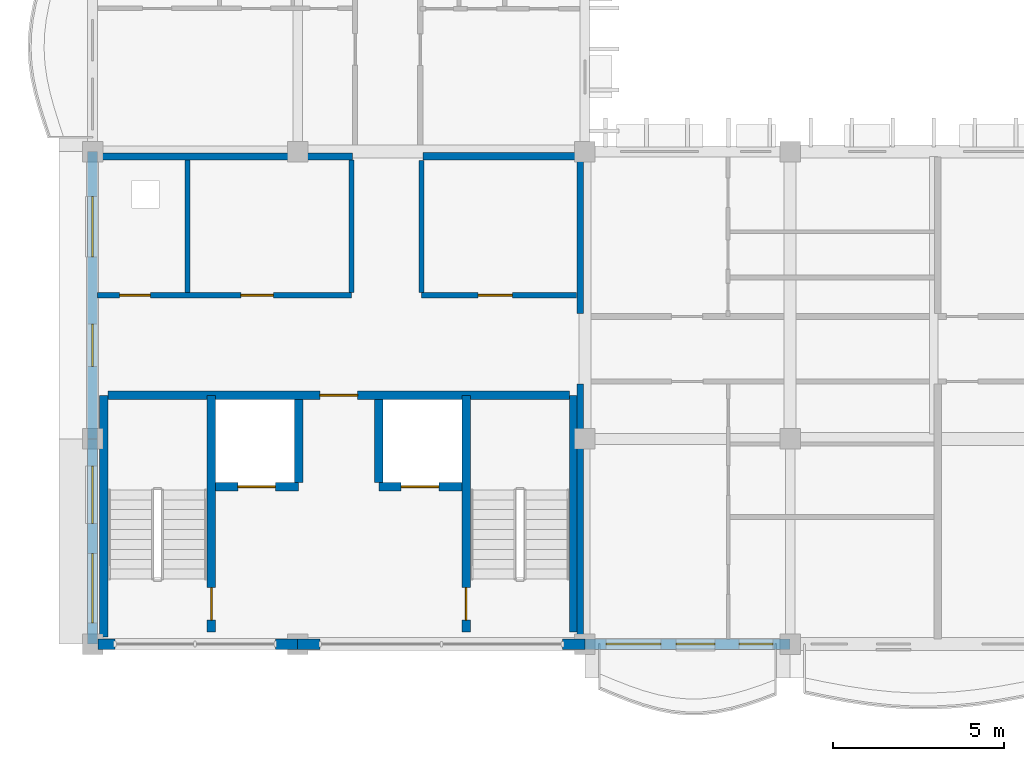
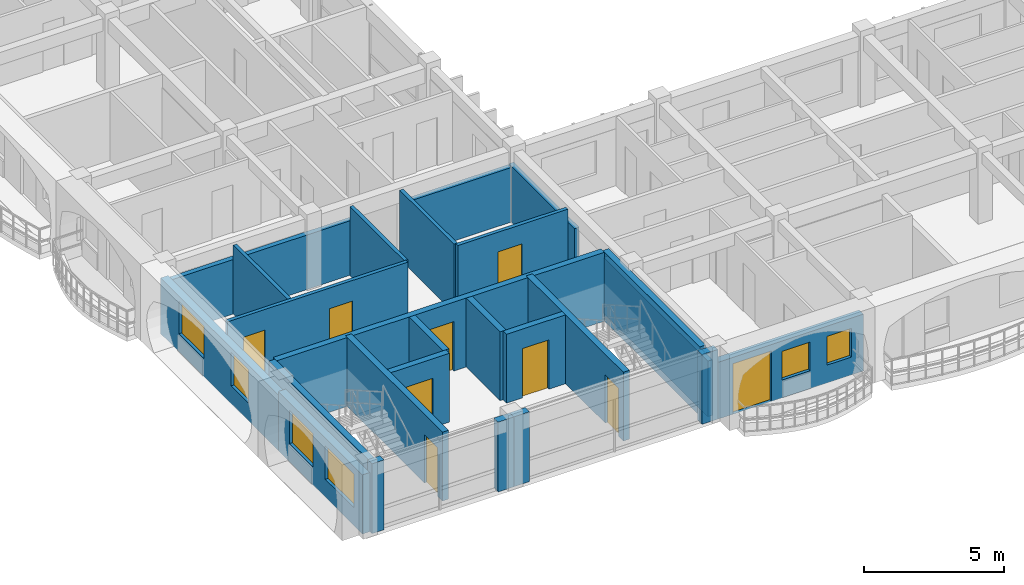
# One storey, part 23 of 76: 25 walls, 9 doors, 6 windows, 15 openings.
"""IFC4 building model written with IfcOpenShell, lengths in metres."""

from ifc_helpers import new_model, si_unit, direction, frame, frame_2d, origin, place, context, subcontext, project, spatial, rectangle, extrude, material, layer, layer_set, type_object, element, fill, save


model = new_model("IFC4")

# Units and contexts
model_context = context("Model", 3, precision=1e-05, world=origin(), true_north=direction((0.0, 1.0)))
body_context = subcontext(model_context, "Body", "Model", "MODEL_VIEW")
ifc_project = project(units=[si_unit("LENGTHUNIT", "METRE"), si_unit("AREAUNIT", "SQUARE_METRE"), si_unit("VOLUMEUNIT", "CUBIC_METRE"), si_unit("PLANEANGLEUNIT", "RADIAN"), si_unit("MASSUNIT", "GRAM", prefix="KILO"), si_unit("THERMODYNAMICTEMPERATUREUNIT", "KELVIN")], contexts=[model_context])

# Site, building, storey
site_placement = place(None, origin())
site = spatial("IfcSite", under=ifc_project, at=site_placement, CompositionType="ELEMENT")
building_placement = place(site_placement, origin())
building = spatial("IfcBuilding", under=site, at=building_placement, Name="Thalorik Housing Commons", CompositionType="ELEMENT")
storey_placement = place(building_placement, frame((0.0, 0.0, 18.0)))
storey = spatial("IfcBuildingStorey", under=building, at=storey_placement, Name="L05", CompositionType="ELEMENT", Elevation=18.0)

# Wall, opening, door
ifc_material_1 = material(Name="Concrete C40/50", Category="concrete")
ifc_layer_1 = layer(ifc_material_1, 0.25, Name="Concrete C40/50", Category="concrete")
ifc_layer_set_1 = layer_set([ifc_layer_1], Name="Concrete C40/50")
wall_type_1 = type_object("IfcWallType", Name="ARC-WAL-CORE-250", PredefinedType="SHEAR", material=ifc_layer_set_1)
wall_1_placement = place(storey_placement, frame((11.875, 8.75, 0.0), z_axis=(0.0, 0.0, 1.0), x_axis=(0.0, 1.0, 0.0)))
wall_1 = element("IfcWall", 1, at=wall_1_placement, inside=storey, type_object=wall_type_1, Name="L05 Core C Stair 1 Shear Wall", PredefinedType="SHEAR", context=body_context, shape_type="SweptSolid", body=[
    extrude(rectangle(XDim=6.925048828125, YDim=0.25, at=frame_2d((3.46240234375, 0.0))), origin(), (0.0, 0.0, 1.0), 3.0),
])
opening_1_placement = place(wall_1_placement, frame((0.35009765625, 0.0, 0.0)))
opening_1 = element("IfcOpeningElement", 2, at=opening_1_placement, cuts=wall_1, Name="Opening ID-0297", PredefinedType="OPENING", context=body_context, shape_type="SweptSolid", body=[
    extrude(rectangle(XDim=0.949951171875, YDim=2.10009765625, at=frame_2d((0.47509765625, 1.050048828125))), frame((0.0, 0.135009765625, 0.0), z_axis=(0.0, -1.0, 0.0), x_axis=(1.0, 0.0, 0.0)), (0.0, 0.0, 1.0), 0.27001953125),
])
ifc_material_2 = material(Name="Steel S355", Category="steel")
door_type_1 = type_object("IfcDoorType", Name="ARC-DR-FD60-950", OperationType="NOTDEFINED", PredefinedType="DOOR", material=ifc_material_2)
door_1_placement = place(opening_1_placement, origin())
door_1 = element("IfcDoor", 3, at=door_1_placement, inside=storey, type_object=door_type_1, Name="L05 Stair ST-C1 Fire Door", OperationType="SINGLE_SWING_RIGHT", OverallHeight=2.10009765625, OverallWidth=0.949951171875, PredefinedType="DOOR", context=body_context, shape_type="SweptSolid", body=[
    extrude(rectangle(XDim=0.949951171875, YDim=2.10009765625, at=frame_2d((0.47509765625, 1.050048828125))), frame((0.0, 0.02490234375, 0.0), z_axis=(0.0, -1.0, 0.0), x_axis=(1.0, 0.0, 0.0)), (0.0, 0.0, 1.0), 0.050048828125),
])
fill(opening_1, door_1)

# Walls
wall_2_placement = place(storey_placement, frame((8.72509765625, 8.60009765625, 0.0), z_axis=(0.0, 0.0, 1.0), x_axis=(0.0, 1.0, 0.0)))
element("IfcWall", 4, at=wall_2_placement, inside=storey, type_object=wall_type_1, Name="L05 Core C Stair 1 Outer Shear Wall", PredefinedType="SHEAR", context=body_context, shape_type="SweptSolid", body=[
    extrude(rectangle(XDim=7.074951171875, YDim=0.25, at=frame_2d((3.53759765625, 0.0))), origin(), (0.0, 0.0, 1.0), 3.0),
])
wall_3_placement = place(storey_placement, frame((22.47509765625, 8.75, 0.0), z_axis=(0.0, 0.0, 1.0), x_axis=(0.0, 1.0, 0.0)))
element("IfcWall", 5, at=wall_3_placement, inside=storey, type_object=wall_type_1, Name="L05 Core C Stair 2 Outer Shear Wall", PredefinedType="SHEAR", context=body_context, shape_type="SweptSolid", body=[
    extrude(rectangle(XDim=6.925048828125, YDim=0.25, at=frame_2d((3.46240234375, 0.0))), origin(), (0.0, 0.0, 1.0), 3.0),
])

# Wall, opening, door
wall_4_placement = place(storey_placement, frame((19.324951171875, 8.75, 0.0), z_axis=(0.0, 0.0, 1.0), x_axis=(0.0, 1.0, 0.0)))
wall_4 = element("IfcWall", 6, at=wall_4_placement, inside=storey, type_object=wall_type_1, Name="L05 Core C Stair 2 Shear Wall", PredefinedType="SHEAR", context=body_context, shape_type="SweptSolid", body=[
    extrude(rectangle(XDim=6.925048828125, YDim=0.25, at=frame_2d((3.46240234375, 0.0))), origin(), (0.0, 0.0, 1.0), 3.0),
])
opening_2_placement = place(wall_4_placement, frame((0.35009765625, 0.0, 0.0)))
opening_2 = element("IfcOpeningElement", 7, at=opening_2_placement, cuts=wall_4, Name="Opening ID-0298", PredefinedType="OPENING", context=body_context, shape_type="SweptSolid", body=[
    extrude(rectangle(XDim=0.949951171875, YDim=2.10009765625, at=frame_2d((0.47509765625, 1.050048828125))), frame((0.0, 0.135009765625, 0.0), z_axis=(0.0, -1.0, 0.0), x_axis=(1.0, 0.0, 0.0)), (0.0, 0.0, 1.0), 0.27001953125),
])
door_2_placement = place(opening_2_placement, origin())
door_2 = element("IfcDoor", 8, at=door_2_placement, inside=storey, type_object=door_type_1, Name="L05 Stair ST-C2 Fire Door", OperationType="SINGLE_SWING_LEFT", OverallHeight=2.10009765625, OverallWidth=0.949951171875, PredefinedType="DOOR", context=body_context, shape_type="SweptSolid", body=[
    extrude(rectangle(XDim=0.949951171875, YDim=2.10009765625, at=frame_2d((0.47509765625, 1.050048828125))), frame((0.0, 0.02490234375, 0.0), z_axis=(0.0, -1.0, 0.0), x_axis=(1.0, 0.0, 0.0)), (0.0, 0.0, 1.0), 0.050048828125),
])
fill(opening_2, door_2)

wall_5_placement = place(storey_placement, frame((12.0, 13.0, 0.0), z_axis=(0.0, 0.0, 1.0), x_axis=(1.0, 0.0, 0.0)))
wall_5 = element("IfcWall", 9, at=wall_5_placement, inside=storey, type_object=wall_type_1, Name="L05 Lift LF-C1 Front Shaft Wall", PredefinedType="SHEAR", context=body_context, shape_type="SweptSolid", body=[
    extrude(rectangle(XDim=2.425048828125, YDim=0.25, at=frame_2d((1.21240234375, 0.0))), origin(), (0.0, 0.0, 1.0), 3.0),
])
opening_3_placement = place(wall_5_placement, frame((0.64990234375, 0.0, 0.0)))
opening_3 = element("IfcOpeningElement", 10, at=opening_3_placement, cuts=wall_5, Name="Opening LD-LF-C1-L05", PredefinedType="OPENING", context=body_context, shape_type="SweptSolid", body=[
    extrude(rectangle(XDim=1.10009765625, YDim=2.14990234375, at=frame_2d((0.550048828125, 1.074951171875))), frame((0.0, 0.135009765625, 0.0), z_axis=(0.0, -1.0, 0.0), x_axis=(1.0, 0.0, 0.0)), (0.0, 0.0, 1.0), 0.27001953125),
])
door_type_2 = type_object("IfcDoorType", Name="ARC-DR-LIFT-1100", OperationType="NOTDEFINED", PredefinedType="DOOR", material=ifc_material_2)
door_3_placement = place(opening_3_placement, origin())
door_3 = element("IfcDoor", 11, at=door_3_placement, inside=storey, type_object=door_type_2, Name="L05 Lift LF-C1 Landing Door", OperationType="SLIDING_TO_LEFT", OverallHeight=2.14990234375, OverallWidth=1.10009765625, PredefinedType="DOOR", context=body_context, shape_type="SweptSolid", body=[
    extrude(rectangle(XDim=1.10009765625, YDim=2.14990234375, at=frame_2d((0.550048828125, 1.074951171875))), frame((0.0, 0.02490234375, 0.0), z_axis=(0.0, -1.0, 0.0), x_axis=(1.0, 0.0, 0.0)), (0.0, 0.0, 1.0), 0.050048828125),
])
fill(opening_3, door_3)

wall_6_placement = place(storey_placement, frame((16.77490234375, 13.0, 0.0), z_axis=(0.0, 0.0, 1.0), x_axis=(1.0, 0.0, 0.0)))
wall_6 = element("IfcWall", 12, at=wall_6_placement, inside=storey, type_object=wall_type_1, Name="L05 Lift LP-C2 Front Shaft Wall", PredefinedType="SHEAR", context=body_context, shape_type="SweptSolid", body=[
    extrude(rectangle(XDim=2.425048828125, YDim=0.25, at=frame_2d((1.21240234375, 0.0))), origin(), (0.0, 0.0, 1.0), 3.0),
])
opening_4_placement = place(wall_6_placement, frame((0.64990234375, 0.0, 0.0)))
opening_4 = element("IfcOpeningElement", 13, at=opening_4_placement, cuts=wall_6, Name="Opening LD-LP-C2-L05", PredefinedType="OPENING", context=body_context, shape_type="SweptSolid", body=[
    extrude(rectangle(XDim=1.10009765625, YDim=2.14990234375, at=frame_2d((0.550048828125, 1.074951171875))), frame((0.0, 0.135009765625, 0.0), z_axis=(0.0, -1.0, 0.0), x_axis=(1.0, 0.0, 0.0)), (0.0, 0.0, 1.0), 0.27001953125),
])
door_4_placement = place(opening_4_placement, origin())
door_4 = element("IfcDoor", 14, at=door_4_placement, inside=storey, type_object=door_type_2, Name="L05 Lift LP-C2 Landing Door", OperationType="SLIDING_TO_LEFT", OverallHeight=2.14990234375, OverallWidth=1.10009765625, PredefinedType="DOOR", context=body_context, shape_type="SweptSolid", body=[
    extrude(rectangle(XDim=1.10009765625, YDim=2.14990234375, at=frame_2d((0.550048828125, 1.074951171875))), frame((0.0, 0.02490234375, 0.0), z_axis=(0.0, -1.0, 0.0), x_axis=(1.0, 0.0, 0.0)), (0.0, 0.0, 1.0), 0.050048828125),
])
fill(opening_4, door_4)

# Walls
for number, where, z_axis, x_axis, name in (
    (15, (14.425048828125, 13.125, 0.0), (0.0, 0.0, 1.0), (0.0, 1.0, 0.0), "L05 Lift 1 Cheek Wall"),
    (16, (16.77490234375, 13.125, 0.0), (0.0, 0.0, 1.0), (0.0, 1.0, 0.0), "L05 Lift 2 Cheek Wall"),
):
    element("IfcWall", number, at=place(storey_placement, frame(where, z_axis=z_axis, x_axis=x_axis)), inside=storey, type_object=wall_type_1, Name=name, PredefinedType="SHEAR", context=body_context, shape_type="SweptSolid", body=[
        extrude(rectangle(XDim=2.425048828125, YDim=0.25, at=frame_2d((1.21240234375, 0.0))), origin(), (0.0, 0.0, 1.0), 3.0),
    ])

# Wall, opening, door
wall_7_placement = place(storey_placement, frame((8.85009765625, 15.675048828125, 0.0), z_axis=(0.0, 0.0, 1.0), x_axis=(1.0, 0.0, 0.0)))
wall_7 = element("IfcWall", 17, at=wall_7_placement, inside=storey, type_object=wall_type_1, Name="L05 Core C Spine Shear Wall", PredefinedType="SHEAR", context=body_context, shape_type="SweptSolid", body=[
    extrude(rectangle(XDim=13.5, YDim=0.25, at=frame_2d((6.75, 0.0))), origin(), (0.0, 0.0, 1.0), 3.0),
])
opening_5_placement = place(wall_7_placement, frame((6.199951171875, 0.0, 0.0)))
opening_5 = element("IfcOpeningElement", 18, at=opening_5_placement, cuts=wall_7, Name="Opening ID-0301", PredefinedType="OPENING", context=body_context, shape_type="SweptSolid", body=[
    extrude(rectangle(XDim=1.10009765625, YDim=2.14990234375, at=frame_2d((0.550048828125, 1.074951171875))), frame((0.0, 0.135009765625, 0.0), z_axis=(0.0, -1.0, 0.0), x_axis=(1.0, 0.0, 0.0)), (0.0, 0.0, 1.0), 0.27001953125),
])
door_type_3 = type_object("IfcDoorType", Name="ARC-DR-FD60-1100", OperationType="NOTDEFINED", PredefinedType="DOOR", material=ifc_material_2)
door_5_placement = place(opening_5_placement, origin())
door_5 = element("IfcDoor", 19, at=door_5_placement, inside=storey, type_object=door_type_3, Name="L05 Core C Lobby Fire Door", OperationType="SINGLE_SWING_RIGHT", OverallHeight=2.14990234375, OverallWidth=1.10009765625, PredefinedType="DOOR", context=body_context, shape_type="SweptSolid", body=[
    extrude(rectangle(XDim=1.10009765625, YDim=2.14990234375, at=frame_2d((0.550048828125, 1.074951171875))), frame((0.0, 0.02490234375, 0.0), z_axis=(0.0, -1.0, 0.0), x_axis=(1.0, 0.0, 0.0)), (0.0, 0.0, 1.0), 0.050048828125),
])
fill(opening_5, door_5)

# Wall, openings, windows
ifc_material_3 = material(Name="White precast concrete C40/50", Category="concrete")
ifc_layer_2 = layer(ifc_material_3, 0.304931640625, Name="White precast concrete C40/50", Category="concrete")
ifc_layer_set_2 = layer_set([ifc_layer_2], Name="White precast concrete C40/50")
wall_type_2 = type_object("IfcWallType", Name="ARC-WAL-EXT-305", PredefinedType="STANDARD", material=ifc_layer_set_2)
wall_8_placement = place(storey_placement, frame((8.39990234375, 22.800048828125, 0.0), z_axis=(0.0, 0.0, 1.0), x_axis=(0.0, -1.0, 0.0)))
wall_8 = element("IfcWall", 20, at=wall_8_placement, inside=storey, type_object=wall_type_2, Name="L05 Exterior Wall WAL-EXT-L05-C-0973", PredefinedType="STANDARD", context=body_context, shape_type="SweptSolid", body=[
    extrude(rectangle(XDim=8.400146484375, YDim=0.304931640625, at=frame_2d((4.2001953125, 0.0))), origin(), (0.0, 0.0, 1.0), 2.425048828125),
])
opening_6_placement = place(wall_8_placement, frame((1.304931640625, 0.0, 0.780029296875)))
opening_6 = element("IfcOpeningElement", 21, at=opening_6_placement, cuts=wall_8, Name="Opening W-57", PredefinedType="OPENING", context=body_context, shape_type="SweptSolid", body=[
    extrude(rectangle(XDim=1.780029296875, YDim=1.419921875, at=frame_2d((0.89013671875, 0.7099609375))), frame((0.0, 0.16259765625, 0.0), z_axis=(0.0, -1.0, 0.0), x_axis=(1.0, 0.0, 0.0)), (0.0, 0.0, 1.0), 0.324951171875),
])
opening_7_placement = place(wall_8_placement, frame((5.03759765625, 0.0, 0.780029296875)))
opening_7 = element("IfcOpeningElement", 22, at=opening_7_placement, cuts=wall_8, Name="Opening W-47", PredefinedType="OPENING", context=body_context, shape_type="SweptSolid", body=[
    extrude(rectangle(XDim=1.25, YDim=1.449951171875, at=frame_2d((0.625, 0.72509765625))), frame((0.0, 0.16259765625, 0.0), z_axis=(0.0, -1.0, 0.0), x_axis=(1.0, 0.0, 0.0)), (0.0, 0.0, 1.0), 0.324951171875),
])
ifc_material_4 = material(Name="Anodised aluminium and solar-control low-E glass", Category="aluminium")
window_type_1 = type_object("IfcWindowType", Name="ARC-WIN-47", PartitioningType="SINGLE_PANEL", PredefinedType="WINDOW", material=ifc_material_4)
window_1_placement = place(opening_7_placement, origin())
window_1 = element("IfcWindow", 23, at=window_1_placement, inside=storey, type_object=window_type_1, Name="L05 Facade Window 1802", OverallHeight=1.449951171875, OverallWidth=1.25, PartitioningType="SINGLE_PANEL", PredefinedType="WINDOW", context=body_context, shape_type="SweptSolid", body=[
    extrude(rectangle(XDim=1.25, YDim=1.449951171875, at=frame_2d((0.625, 0.72509765625))), frame((0.0, 0.030029296875, 0.0), z_axis=(0.0, -1.0, 0.0), x_axis=(1.0, 0.0, 0.0)), (0.0, 0.0, 1.0), 0.06005859375),
])
fill(opening_7, window_1)
window_type_2 = type_object("IfcWindowType", Name="ARC-WIN-57", PartitioningType="DOUBLE_PANEL_VERTICAL", PredefinedType="WINDOW", material=ifc_material_4)
window_2_placement = place(opening_6_placement, origin())
window_2 = element("IfcWindow", 24, at=window_2_placement, inside=storey, type_object=window_type_2, Name="L05 Facade Window 1801", OverallHeight=1.419921875, OverallWidth=1.780029296875, PartitioningType="DOUBLE_PANEL_VERTICAL", PredefinedType="WINDOW", context=body_context, shape_type="SweptSolid", body=[
    extrude(rectangle(XDim=1.780029296875, YDim=1.419921875, at=frame_2d((0.89013671875, 0.7099609375))), frame((0.0, 0.030029296875, 0.0), z_axis=(0.0, -1.0, 0.0), x_axis=(1.0, 0.0, 0.0)), (0.0, 0.0, 1.0), 0.06005859375),
])
fill(opening_6, window_2)

wall_9_placement = place(storey_placement, frame((8.39990234375, 14.39990234375, 0.0), z_axis=(0.0, 0.0, 1.0), x_axis=(0.0, -1.0, 0.0)))
wall_9 = element("IfcWall", 25, at=wall_9_placement, inside=storey, type_object=wall_type_2, Name="L05 Exterior Wall WAL-EXT-L05-C-0974", PredefinedType="STANDARD", context=body_context, shape_type="SweptSolid", body=[
    extrude(rectangle(XDim=6.0, YDim=0.304931640625, at=frame_2d((3.0, 0.0))), origin(), (0.0, 0.0, 1.0), 2.574951171875),
])
opening_8_placement = place(wall_9_placement, frame((0.7900390625, 0.0, 0.780029296875)))
opening_8 = element("IfcOpeningElement", 26, at=opening_8_placement, cuts=wall_9, Name="Opening W-55", PredefinedType="OPENING", context=body_context, shape_type="SweptSolid", body=[
    extrude(rectangle(XDim=1.679931640625, YDim=1.4599609375, at=frame_2d((0.83984375, 0.72998046875))), frame((0.0, 0.16259765625, 0.0), z_axis=(0.0, -1.0, 0.0), x_axis=(1.0, 0.0, 0.0)), (0.0, 0.0, 1.0), 0.324951171875),
])
opening_9_placement = place(wall_9_placement, frame((3.35009765625, 0.0, 0.780029296875)))
opening_9 = element("IfcOpeningElement", 27, at=opening_9_placement, cuts=wall_9, Name="Opening W-62", PredefinedType="OPENING", context=body_context, shape_type="SweptSolid", body=[
    extrude(rectangle(XDim=2.0400390625, YDim=1.4599609375, at=frame_2d((1.02001953125, 0.72998046875))), frame((0.0, 0.16259765625, 0.0), z_axis=(0.0, -1.0, 0.0), x_axis=(1.0, 0.0, 0.0)), (0.0, 0.0, 1.0), 0.324951171875),
])
window_type_3 = type_object("IfcWindowType", Name="ARC-WIN-55", PartitioningType="DOUBLE_PANEL_VERTICAL", PredefinedType="WINDOW", material=ifc_material_4)
window_3_placement = place(opening_8_placement, origin())
window_3 = element("IfcWindow", 28, at=window_3_placement, inside=storey, type_object=window_type_3, Name="L05 Facade Window 1803", OverallHeight=1.4599609375, OverallWidth=1.679931640625, PartitioningType="DOUBLE_PANEL_VERTICAL", PredefinedType="WINDOW", context=body_context, shape_type="SweptSolid", body=[
    extrude(rectangle(XDim=1.679931640625, YDim=1.4599609375, at=frame_2d((0.83984375, 0.72998046875))), frame((0.0, 0.030029296875, 0.0), z_axis=(0.0, -1.0, 0.0), x_axis=(1.0, 0.0, 0.0)), (0.0, 0.0, 1.0), 0.06005859375),
])
fill(opening_8, window_3)
window_type_4 = type_object("IfcWindowType", Name="ARC-WIN-62", PartitioningType="DOUBLE_PANEL_VERTICAL", PredefinedType="WINDOW", material=ifc_material_4)
window_4_placement = place(opening_9_placement, origin())
window_4 = element("IfcWindow", 29, at=window_4_placement, inside=storey, type_object=window_type_4, Name="L05 Facade Window 1804", OverallHeight=1.4599609375, OverallWidth=2.0400390625, PartitioningType="DOUBLE_PANEL_VERTICAL", PredefinedType="WINDOW", context=body_context, shape_type="SweptSolid", body=[
    extrude(rectangle(XDim=2.0400390625, YDim=1.4599609375, at=frame_2d((1.02001953125, 0.72998046875))), frame((0.0, 0.030029296875, 0.0), z_axis=(0.0, -1.0, 0.0), x_axis=(1.0, 0.0, 0.0)), (0.0, 0.0, 1.0), 0.06005859375),
])
fill(opening_9, window_4)

# Walls
wall_10_placement = place(storey_placement, frame((8.554443359375, 8.39990234375, 0.0), z_axis=(0.0, 0.0, 1.0), x_axis=(1.0, 0.0, 0.0)))
element("IfcWall", 30, at=wall_10_placement, inside=storey, type_object=wall_type_2, Name="L05 Exterior Wall WAL-PIERL-L05-C-0975", PredefinedType="STANDARD", context=body_context, shape_type="SweptSolid", body=[
    extrude(rectangle(XDim=0.49560546875, YDim=0.304931640625, at=frame_2d((0.247802734375, 0.0))), origin(), (0.0, 0.0, 1.0), 3.0400390625),
])
wall_11_placement = place(storey_placement, frame((13.75, 8.39990234375, 0.0), z_axis=(0.0, 0.0, 1.0), x_axis=(1.0, 0.0, 0.0)))
element("IfcWall", 31, at=wall_11_placement, inside=storey, type_object=wall_type_2, Name="L05 Exterior Wall WAL-PIERR-L05-C-0975", PredefinedType="STANDARD", context=body_context, shape_type="SweptSolid", body=[
    extrude(rectangle(XDim=0.64990234375, YDim=0.304931640625, at=frame_2d((0.324951171875, 0.0))), origin(), (0.0, 0.0, 1.0), 3.0400390625),
])
for number, where, z_axis, x_axis, name in (
    (32, (14.39990234375, 8.39990234375, 0.0), (0.0, 0.0, 1.0), (1.0, 0.0, 0.0), "L05 Exterior Wall WAL-PIERL-L05-C-0976"),
    (33, (22.14990234375, 8.39990234375, 0.0), (0.0, 0.0, 1.0), (1.0, 0.0, 0.0), "L05 Exterior Wall WAL-PIERR-L05-C-0976"),
):
    element("IfcWall", number, at=place(storey_placement, frame(where, z_axis=z_axis, x_axis=x_axis)), inside=storey, type_object=wall_type_2, Name=name, PredefinedType="STANDARD", context=body_context, shape_type="SweptSolid", body=[
        extrude(rectangle(XDim=0.650146484375, YDim=0.304931640625, at=frame_2d((0.3251953125, 0.0))), origin(), (0.0, 0.0, 1.0), 3.0400390625),
    ])

# Wall, openings, door, windows
wall_12_placement = place(storey_placement, frame((22.800048828125, 8.39990234375, 0.0), z_axis=(0.0, 0.0, 1.0), x_axis=(1.0, 0.0, 0.0)))
wall_12 = element("IfcWall", 34, at=wall_12_placement, inside=storey, type_object=wall_type_2, Name="L05 Exterior Wall WAL-EXT-L05-C-0977", PredefinedType="STANDARD", context=body_context, shape_type="SweptSolid", body=[
    extrude(rectangle(XDim=6.0, YDim=0.304931640625, at=frame_2d((3.0, 0.0))), origin(), (0.0, 0.0, 1.0), 2.47509765625),
])
opening_10_placement = place(wall_12_placement, frame((0.6201171875, 0.0, 0.0)))
opening_10 = element("IfcOpeningElement", 35, at=opening_10_placement, cuts=wall_12, Name="Opening ED-0323", PredefinedType="OPENING", context=body_context, shape_type="SweptSolid", body=[
    extrude(rectangle(XDim=1.60009765625, YDim=2.199951171875, at=frame_2d((0.800048828125, 1.10009765625))), frame((0.0, 0.16259765625, 0.0), z_axis=(0.0, -1.0, 0.0), x_axis=(1.0, 0.0, 0.0)), (0.0, 0.0, 1.0), 0.324951171875),
])
opening_11_placement = place(wall_12_placement, frame((2.655029296875, 0.0, 0.780029296875)))
opening_11 = element("IfcOpeningElement", 36, at=opening_11_placement, cuts=wall_12, Name="Opening W-45", PredefinedType="OPENING", context=body_context, shape_type="SweptSolid", body=[
    extrude(rectangle(XDim=1.14990234375, YDim=1.25, at=frame_2d((0.574951171875, 0.625))), frame((0.0, 0.16259765625, 0.0), z_axis=(0.0, -1.0, 0.0), x_axis=(1.0, 0.0, 0.0)), (0.0, 0.0, 1.0), 0.324951171875),
])
opening_12_placement = place(wall_12_placement, frame((4.5, 0.0, 0.780029296875)))
opening_12 = element("IfcOpeningElement", 37, at=opening_12_placement, cuts=wall_12, Name="Opening W-02", PredefinedType="OPENING", context=body_context, shape_type="SweptSolid", body=[
    extrude(rectangle(XDim=1.0, YDim=1.25, at=frame_2d((0.5, 0.625))), frame((0.0, 0.16259765625, 0.0), z_axis=(0.0, -1.0, 0.0), x_axis=(1.0, 0.0, 0.0)), (0.0, 0.0, 1.0), 0.324951171875),
])
ifc_material_5 = material(Name="Anodised aluminium and laminated safety glass", Category="aluminium")
door_type_4 = type_object("IfcDoorType", Name="ARC-DR-BAL-1600", OperationType="NOTDEFINED", PredefinedType="DOOR", material=ifc_material_5)
door_6_placement = place(opening_10_placement, frame((1.60009765625, 0.0, 0.0), z_axis=(0.0, 0.0, 1.0), x_axis=(-1.0, 0.0, 0.0)))
door_6 = element("IfcDoor", 38, at=door_6_placement, inside=storey, type_object=door_type_4, Name="L05 Block C Balcony Glazed Door", OperationType="SLIDING_TO_LEFT", OverallHeight=2.199951171875, OverallWidth=1.60009765625, PredefinedType="DOOR", context=body_context, shape_type="SweptSolid", body=[
    extrude(rectangle(XDim=1.60009765625, YDim=2.199951171875, at=frame_2d((0.800048828125, 1.10009765625))), frame((0.0, 0.02490234375, 0.0), z_axis=(0.0, -1.0, 0.0), x_axis=(1.0, 0.0, 0.0)), (0.0, 0.0, 1.0), 0.050048828125),
])
fill(opening_10, door_6)
window_type_5 = type_object("IfcWindowType", Name="ARC-WIN-02", PartitioningType="SINGLE_PANEL", PredefinedType="WINDOW", material=ifc_material_4)
window_5_placement = place(opening_12_placement, origin())
window_5 = element("IfcWindow", 39, at=window_5_placement, inside=storey, type_object=window_type_5, Name="L05 Facade Window 1806", OverallHeight=1.25, OverallWidth=1.0, PartitioningType="SINGLE_PANEL", PredefinedType="WINDOW", context=body_context, shape_type="SweptSolid", body=[
    extrude(rectangle(XDim=1.0, YDim=1.25, at=frame_2d((0.5, 0.625))), frame((0.0, 0.030029296875, 0.0), z_axis=(0.0, -1.0, 0.0), x_axis=(1.0, 0.0, 0.0)), (0.0, 0.0, 1.0), 0.06005859375),
])
fill(opening_12, window_5)
window_type_6 = type_object("IfcWindowType", Name="ARC-WIN-45", PartitioningType="SINGLE_PANEL", PredefinedType="WINDOW", material=ifc_material_4)
window_6_placement = place(opening_11_placement, origin())
window_6 = element("IfcWindow", 40, at=window_6_placement, inside=storey, type_object=window_type_6, Name="L05 Facade Window 1805", OverallHeight=1.25, OverallWidth=1.14990234375, PartitioningType="SINGLE_PANEL", PredefinedType="WINDOW", context=body_context, shape_type="SweptSolid", body=[
    extrude(rectangle(XDim=1.14990234375, YDim=1.25, at=frame_2d((0.574951171875, 0.625))), frame((0.0, 0.030029296875, 0.0), z_axis=(0.0, -1.0, 0.0), x_axis=(1.0, 0.0, 0.0)), (0.0, 0.0, 1.0), 0.06005859375),
])
fill(opening_11, window_6)

# Walls
ifc_material_6 = material(Name="Ceramic masonry partition wall", Category="masonry")
ifc_layer_3 = layer(ifc_material_6, 0.14794921875, Name="Ceramic masonry partition wall", Category="masonry")
ifc_layer_set_3 = layer_set([ifc_layer_3], Name="Ceramic masonry partition wall")
wall_type_3 = type_object("IfcWallType", Name="ARC-WAL-PART-150", PredefinedType="PARTITIONING", material=ifc_layer_set_3)
for number, where, z_axis, x_axis, name in (
    (41, (11.175048828125, 18.676025390625, 0.0), (0.0, 0.0, 1.0), (0.0, 1.0, 0.0), "Riser Wall"),
    (42, (15.97509765625, 18.676025390625, 0.0), (0.0, 0.0, 1.0), (0.0, 1.0, 0.0), "Core Stem West Cheek Wall"),
):
    element("IfcWall", number, at=place(storey_placement, frame(where, z_axis=z_axis, x_axis=x_axis)), inside=storey, type_object=wall_type_3, Name=name, PredefinedType="PARTITIONING", context=body_context, shape_type="SweptSolid", body=[
        extrude(rectangle(XDim=3.882080078125, YDim=0.14794921875, at=frame_2d((1.94091796875, 0.0))), origin(), (0.0, 0.0, 1.0), 3.0),
    ])
wall_13_placement = place(storey_placement, frame((18.02490234375, 18.676025390625, 0.0), z_axis=(0.0, 0.0, 1.0), x_axis=(0.0, 1.0, 0.0)))
element("IfcWall", 43, at=wall_13_placement, inside=storey, type_object=wall_type_3, Name="Core Stem East Cheek Wall", PredefinedType="PARTITIONING", context=body_context, shape_type="SweptSolid", body=[
    extrude(rectangle(XDim=3.8720703125, YDim=0.14794921875, at=frame_2d((1.93603515625, 0.0))), origin(), (0.0, 0.0, 1.0), 3.0),
])

# Wall, openings, doors
wall_14_placement = place(storey_placement, frame((8.5400390625, 18.60009765625, 0.0), z_axis=(0.0, 0.0, 1.0), x_axis=(1.0, 0.0, 0.0)))
wall_14 = element("IfcWall", 44, at=wall_14_placement, inside=storey, type_object=wall_type_3, Name="L05 Core C West Corridor Partition", PredefinedType="PARTITIONING", context=body_context, shape_type="SweptSolid", body=[
    extrude(rectangle(XDim=7.43505859375, YDim=0.14794921875, at=frame_2d((3.717529296875, 0.0))), origin(), (0.0, 0.0, 1.0), 3.0),
])
opening_13_placement = place(wall_14_placement, frame((0.64990234375, 0.0, 0.0)))
opening_13 = element("IfcOpeningElement", 45, at=opening_13_placement, cuts=wall_14, Name="Opening ID-0302", PredefinedType="OPENING", context=body_context, shape_type="SweptSolid", body=[
    extrude(rectangle(XDim=0.89990234375, YDim=2.10009765625, at=frame_2d((0.449951171875, 1.050048828125))), frame((0.0, 0.083984375, 0.0), z_axis=(0.0, -1.0, 0.0), x_axis=(1.0, 0.0, 0.0)), (0.0, 0.0, 1.0), 0.16796875),
])
opening_14_placement = place(wall_14_placement, frame((4.199951171875, 0.0, 0.0)))
opening_14 = element("IfcOpeningElement", 46, at=opening_14_placement, cuts=wall_14, Name="Opening ID-0303", PredefinedType="OPENING", context=body_context, shape_type="SweptSolid", body=[
    extrude(rectangle(XDim=0.949951171875, YDim=2.10009765625, at=frame_2d((0.47509765625, 1.050048828125))), frame((0.0, 0.083984375, 0.0), z_axis=(0.0, -1.0, 0.0), x_axis=(1.0, 0.0, 0.0)), (0.0, 0.0, 1.0), 0.16796875),
])
door_type_5 = type_object("IfcDoorType", Name="ARC-DR-FD60-900", OperationType="NOTDEFINED", PredefinedType="DOOR", material=ifc_material_2)
door_7_placement = place(opening_13_placement, origin())
door_7 = element("IfcDoor", 47, at=door_7_placement, inside=storey, type_object=door_type_5, Name="Electrical Riser Door", OperationType="SINGLE_SWING_LEFT", OverallHeight=2.10009765625, OverallWidth=0.89990234375, PredefinedType="DOOR", context=body_context, shape_type="SweptSolid", body=[
    extrude(rectangle(XDim=0.89990234375, YDim=2.10009765625, at=frame_2d((0.449951171875, 1.050048828125))), frame((0.0, 0.02490234375, 0.0), z_axis=(0.0, -1.0, 0.0), x_axis=(1.0, 0.0, 0.0)), (0.0, 0.0, 1.0), 0.050048828125),
])
fill(opening_13, door_7)
ifc_material_7 = material(Name="Engineered oak timber", Category="wood")
door_type_6 = type_object("IfcDoorType", Name="ARC-DR-INT-950", OperationType="NOTDEFINED", PredefinedType="DOOR", material=ifc_material_7)
door_8_placement = place(opening_14_placement, origin())
door_8 = element("IfcDoor", 48, at=door_8_placement, inside=storey, type_object=door_type_6, Name="Accessible Bathroom Door", OperationType="SINGLE_SWING_RIGHT", OverallHeight=2.10009765625, OverallWidth=0.949951171875, PredefinedType="DOOR", context=body_context, shape_type="SweptSolid", body=[
    extrude(rectangle(XDim=0.949951171875, YDim=2.10009765625, at=frame_2d((0.47509765625, 1.050048828125))), frame((0.0, 0.02490234375, 0.0), z_axis=(0.0, -1.0, 0.0), x_axis=(1.0, 0.0, 0.0)), (0.0, 0.0, 1.0), 0.050048828125),
])
fill(opening_14, door_8)

# Wall, opening, door
wall_15_placement = place(storey_placement, frame((18.02490234375, 18.60009765625, 0.0), z_axis=(0.0, 0.0, 1.0), x_axis=(1.0, 0.0, 0.0)))
wall_15 = element("IfcWall", 49, at=wall_15_placement, inside=storey, type_object=wall_type_3, Name="L05 Core C East Corridor Partition", PredefinedType="PARTITIONING", context=body_context, shape_type="SweptSolid", body=[
    extrude(rectangle(XDim=4.533203125, YDim=0.14794921875, at=frame_2d((2.2666015625, 0.0))), origin(), (0.0, 0.0, 1.0), 3.0),
])
opening_15_placement = place(wall_15_placement, frame((1.64990234375, 0.0, 0.0)))
opening_15 = element("IfcOpeningElement", 50, at=opening_15_placement, cuts=wall_15, Name="Opening ID-0304", PredefinedType="OPENING", context=body_context, shape_type="SweptSolid", body=[
    extrude(rectangle(XDim=1.0, YDim=2.14990234375, at=frame_2d((0.5, 1.074951171875))), frame((0.0, 0.083984375, 0.0), z_axis=(0.0, -1.0, 0.0), x_axis=(1.0, 0.0, 0.0)), (0.0, 0.0, 1.0), 0.16796875),
])
door_type_7 = type_object("IfcDoorType", Name="ARC-DR-FD60-1000", OperationType="NOTDEFINED", PredefinedType="DOOR", material=ifc_material_2)
door_9_placement = place(opening_15_placement, origin())
door_9 = element("IfcDoor", 51, at=door_9_placement, inside=storey, type_object=door_type_7, Name="Core Hub Room Door", OperationType="SINGLE_SWING_LEFT", OverallHeight=2.14990234375, OverallWidth=1.0, PredefinedType="DOOR", context=body_context, shape_type="SweptSolid", body=[
    extrude(rectangle(XDim=1.0, YDim=2.14990234375, at=frame_2d((0.5, 1.074951171875))), frame((0.0, 0.02490234375, 0.0), z_axis=(0.0, -1.0, 0.0), x_axis=(1.0, 0.0, 0.0)), (0.0, 0.0, 1.0), 0.050048828125),
])
fill(opening_15, door_9)

# Walls
ifc_material_8 = material(Name="Masonry acoustic blockwork wall", Category="masonry")
ifc_layer_4 = layer(ifc_material_8, 0.18505859375, Name="Masonry acoustic blockwork wall", Category="masonry")
ifc_layer_set_4 = layer_set([ifc_layer_4], Name="Masonry acoustic blockwork wall")
wall_type_4 = type_object("IfcWallType", Name="ARC-WAL-PARTY-185", PredefinedType="PARTITIONING", material=ifc_layer_set_4)
wall_16_placement = place(storey_placement, frame((22.659912109375, 8.554443359375, 0.0), z_axis=(0.0, 0.0, 1.0), x_axis=(0.0, 1.0, 0.0)))
element("IfcWall", 52, at=wall_16_placement, inside=storey, type_object=wall_type_4, Name="L05 Inter-Tenancy Wall 0A", PredefinedType="PARTITIONING", context=body_context, shape_type="SweptSolid", body=[
    extrude(rectangle(XDim=7.448486328125, YDim=0.18505859375, at=frame_2d((3.72412109375, 0.0))), origin(), (0.0, 0.0, 1.0), 2.425048828125),
])
ifc_material_9 = material(Name="Precast concrete C40/50 acoustic wall", Category="concrete")
ifc_layer_5 = layer(ifc_material_9, 0.199951171875, Name="Precast concrete C40/50 acoustic wall", Category="concrete")
ifc_layer_set_5 = layer_set([ifc_layer_5], Name="Precast concrete C40/50 acoustic wall")
wall_type_5 = type_object("IfcWallType", Name="ARC-WAL-PARTY-200", PredefinedType="PARTITIONING", material=ifc_layer_set_5)
wall_17_placement = place(storey_placement, frame((8.554443359375, 22.659912109375, 0.0), z_axis=(0.0, 0.0, 1.0), x_axis=(1.0, 0.0, 0.0)))
element("IfcWall", 53, at=wall_17_placement, inside=storey, type_object=wall_type_5, Name="L05 Inter-Tenancy Wall 0A", PredefinedType="PARTITIONING", context=body_context, shape_type="SweptSolid", body=[
    extrude(rectangle(XDim=7.448486328125, YDim=0.199951171875, at=frame_2d((3.72412109375, 0.0))), origin(), (0.0, 0.0, 1.0), 2.375),
])
wall_18_placement = place(storey_placement, frame((22.659912109375, 18.064453125, 0.0), z_axis=(0.0, 0.0, 1.0), x_axis=(0.0, 1.0, 0.0)))
element("IfcWall", 54, at=wall_18_placement, inside=storey, type_object=wall_type_5, Name="L05 Inter-Tenancy Wall 0B", PredefinedType="PARTITIONING", context=body_context, shape_type="SweptSolid", body=[
    extrude(rectangle(XDim=4.675537109375, YDim=0.199951171875, at=frame_2d((2.337890625, 0.0))), origin(), (0.0, 0.0, 1.0), 2.425048828125),
])
ifc_layer_6 = layer(ifc_material_9, 0.219970703125, Name="Precast concrete C40/50 acoustic wall", Category="concrete")
ifc_layer_set_6 = layer_set([ifc_layer_6], Name="Precast concrete C40/50 acoustic wall")
wall_type_6 = type_object("IfcWallType", Name="ARC-WAL-PARTY-220", PredefinedType="PARTITIONING", material=ifc_layer_set_6)
wall_19_placement = place(storey_placement, frame((18.064453125, 22.659912109375, 0.0), z_axis=(0.0, 0.0, 1.0), x_axis=(1.0, 0.0, 0.0)))
element("IfcWall", 55, at=wall_19_placement, inside=storey, type_object=wall_type_6, Name="L05 Inter-Tenancy Wall 0B", PredefinedType="PARTITIONING", context=body_context, shape_type="SweptSolid", body=[
    extrude(rectangle(XDim=4.49365234375, YDim=0.219970703125, at=frame_2d((2.246826171875, 0.0))), origin(), (0.0, 0.0, 1.0), 2.375),
])

save(model, "model.ifc")
